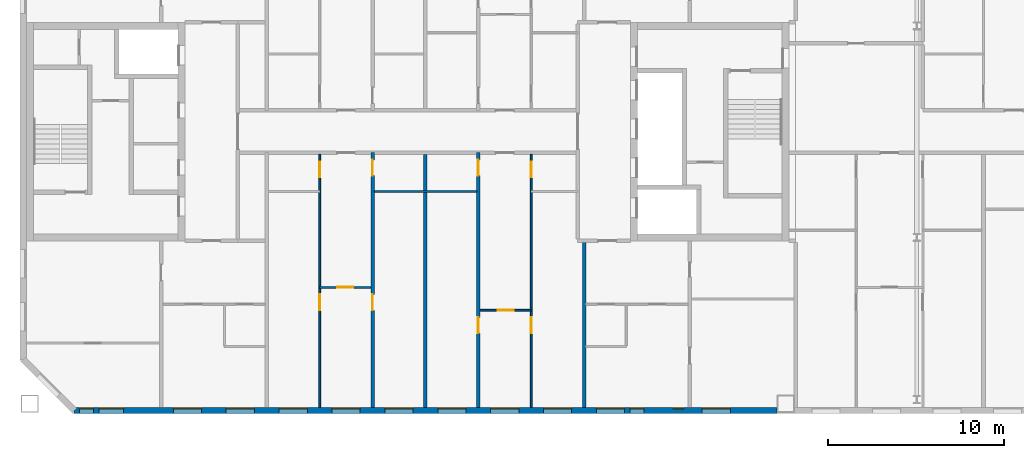
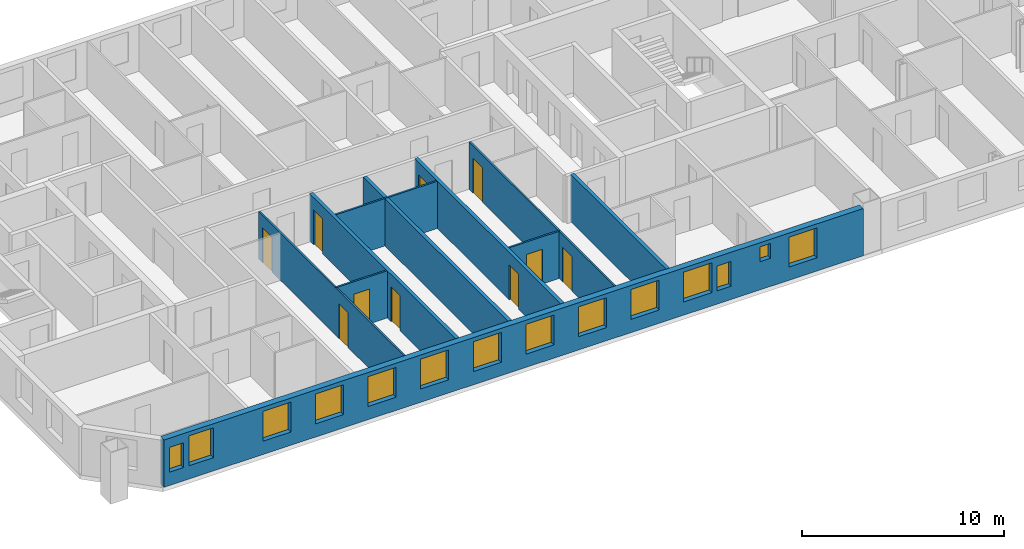
# One storey, part 5 of 19: 14 windows, 10 doors, 10 walls, 24 openings.
"""IFC4 building model written with IfcOpenShell, lengths in metres."""

from ifc_helpers import new_model, si_unit, direction, frame, frame_2d, origin, place, context, subcontext, project, spatial, rectangle, extrude, material, layer, layer_set, type_object, element, fill, save


model = new_model("IFC4")

# Units and contexts
model_context = context("Model", 3, precision=1e-05, world=origin(), true_north=direction((0.0, 1.0)))
body_context = subcontext(model_context, "Body", "Model", "MODEL_VIEW")
ifc_project = project(units=[si_unit("LENGTHUNIT", "METRE"), si_unit("AREAUNIT", "SQUARE_METRE"), si_unit("VOLUMEUNIT", "CUBIC_METRE"), si_unit("PLANEANGLEUNIT", "RADIAN"), si_unit("MASSUNIT", "GRAM", prefix="KILO")], contexts=[model_context])

# Site, building, storey
site_placement = place(None, origin())
site = spatial("IfcSite", under=ifc_project, at=site_placement, CompositionType="ELEMENT")
building_placement = place(site_placement, origin())
building = spatial("IfcBuilding", under=site, at=building_placement, Name="Tuart Gate Housing", CompositionType="ELEMENT")
storey_placement = place(building_placement, frame((0.0, 0.0, 212.10009765625)))
storey = spatial("IfcBuildingStorey", under=building, at=storey_placement, Name="L60", CompositionType="ELEMENT", Elevation=212.10009765625)

# Wall, openings, windows
ifc_material_1 = material(Name="Brick", Category="masonry")
ifc_layer_1 = layer(ifc_material_1, 0.360107421875)
ifc_layer_set_1 = layer_set([ifc_layer_1], Name="Brick pier and spandrel wall 360")
wall_type_1 = type_object("IfcWallType", Name="Brick pier and spandrel wall 360", PredefinedType="STANDARD", material=ifc_layer_set_1)
wall_1_placement = place(storey_placement, frame((35.07470703125, 54.179931640625, 0.0), z_axis=(0.0, 0.0, 1.0), x_axis=(1.0, 0.0, 0.0)))
wall_1 = element("IfcWall", 1, at=wall_1_placement, inside=storey, type_object=wall_type_1, Name="External wall BLK-S L60", PredefinedType="STANDARD", context=body_context, shape_type="SweptSolid", body=[
    extrude(rectangle(XDim=39.875244140625, YDim=0.360107421875, at=frame_2d((19.9375, 0.0))), origin(), (0.0, 0.0, 1.0), 2.849853515625),
])
opening_1_placement = place(wall_1_placement, frame((0.300048828125, 0.0, 0.800048828125)))
opening_1 = element("IfcOpeningElement", 2, at=opening_1_placement, cuts=wall_1, Name="Opening W1J", PredefinedType="OPENING", context=body_context, shape_type="SweptSolid", body=[
    extrude(rectangle(XDim=0.800048828125, YDim=1.5, at=frame_2d((0.39990234375, 0.75))), frame((0.0, 0.18994140625, 0.0), z_axis=(0.0, -1.0, 0.0), x_axis=(1.0, 0.0, 0.0)), (0.0, 0.0, 1.0), 0.380126953125),
])
opening_2_placement = place(wall_1_placement, frame((5.62548828125, 0.0, 0.800048828125)))
opening_2 = element("IfcOpeningElement", 3, at=opening_2_placement, cuts=wall_1, Name="Opening W1", PredefinedType="OPENING", context=body_context, shape_type="SweptSolid", body=[
    extrude(rectangle(XDim=1.60009765625, YDim=1.800048828125, at=frame_2d((0.800048828125, 0.89990234375))), frame((0.0, 0.18994140625, 0.0), z_axis=(0.0, -1.0, 0.0), x_axis=(1.0, 0.0, 0.0)), (0.0, 0.0, 1.0), 0.380126953125),
])
opening_3_placement = place(wall_1_placement, frame((8.62548828125, 0.0, 0.800048828125)))
opening_3 = element("IfcOpeningElement", 4, at=opening_3_placement, cuts=wall_1, Name="Opening W1", PredefinedType="OPENING", context=body_context, shape_type="SweptSolid", body=[
    extrude(rectangle(XDim=1.60009765625, YDim=1.800048828125, at=frame_2d((0.800048828125, 0.89990234375))), frame((0.0, 0.18994140625, 0.0), z_axis=(0.0, -1.0, 0.0), x_axis=(1.0, 0.0, 0.0)), (0.0, 0.0, 1.0), 0.380126953125),
])
opening_4_placement = place(wall_1_placement, frame((11.62548828125, 0.0, 0.800048828125)))
opening_4 = element("IfcOpeningElement", 5, at=opening_4_placement, cuts=wall_1, Name="Opening W1", PredefinedType="OPENING", context=body_context, shape_type="SweptSolid", body=[
    extrude(rectangle(XDim=1.60009765625, YDim=1.800048828125, at=frame_2d((0.800048828125, 0.89990234375))), frame((0.0, 0.18994140625, 0.0), z_axis=(0.0, -1.0, 0.0), x_axis=(1.0, 0.0, 0.0)), (0.0, 0.0, 1.0), 0.380126953125),
])
opening_5_placement = place(wall_1_placement, frame((14.62548828125, 0.0, 0.800048828125)))
opening_5 = element("IfcOpeningElement", 6, at=opening_5_placement, cuts=wall_1, Name="Opening W1", PredefinedType="OPENING", context=body_context, shape_type="SweptSolid", body=[
    extrude(rectangle(XDim=1.60009765625, YDim=1.800048828125, at=frame_2d((0.800048828125, 0.89990234375))), frame((0.0, 0.18994140625, 0.0), z_axis=(0.0, -1.0, 0.0), x_axis=(1.0, 0.0, 0.0)), (0.0, 0.0, 1.0), 0.380126953125),
])
opening_6_placement = place(wall_1_placement, frame((17.62548828125, 0.0, 0.800048828125)))
opening_6 = element("IfcOpeningElement", 7, at=opening_6_placement, cuts=wall_1, Name="Opening W1", PredefinedType="OPENING", context=body_context, shape_type="SweptSolid", body=[
    extrude(rectangle(XDim=1.60009765625, YDim=1.800048828125, at=frame_2d((0.800048828125, 0.89990234375))), frame((0.0, 0.18994140625, 0.0), z_axis=(0.0, -1.0, 0.0), x_axis=(1.0, 0.0, 0.0)), (0.0, 0.0, 1.0), 0.380126953125),
])
opening_7_placement = place(wall_1_placement, frame((20.62548828125, 0.0, 0.800048828125)))
opening_7 = element("IfcOpeningElement", 8, at=opening_7_placement, cuts=wall_1, Name="Opening W1", PredefinedType="OPENING", context=body_context, shape_type="SweptSolid", body=[
    extrude(rectangle(XDim=1.60009765625, YDim=1.800048828125, at=frame_2d((0.800048828125, 0.89990234375))), frame((0.0, 0.18994140625, 0.0), z_axis=(0.0, -1.0, 0.0), x_axis=(1.0, 0.0, 0.0)), (0.0, 0.0, 1.0), 0.380126953125),
])
opening_8_placement = place(wall_1_placement, frame((23.62548828125, 0.0, 0.800048828125)))
opening_8 = element("IfcOpeningElement", 9, at=opening_8_placement, cuts=wall_1, Name="Opening W1", PredefinedType="OPENING", context=body_context, shape_type="SweptSolid", body=[
    extrude(rectangle(XDim=1.60009765625, YDim=1.800048828125, at=frame_2d((0.800048828125, 0.89990234375))), frame((0.0, 0.18994140625, 0.0), z_axis=(0.0, -1.0, 0.0), x_axis=(1.0, 0.0, 0.0)), (0.0, 0.0, 1.0), 0.380126953125),
])
opening_9_placement = place(wall_1_placement, frame((26.62548828125, 0.0, 0.800048828125)))
opening_9 = element("IfcOpeningElement", 10, at=opening_9_placement, cuts=wall_1, Name="Opening W1", PredefinedType="OPENING", context=body_context, shape_type="SweptSolid", body=[
    extrude(rectangle(XDim=1.60009765625, YDim=1.800048828125, at=frame_2d((0.800048828125, 0.89990234375))), frame((0.0, 0.18994140625, 0.0), z_axis=(0.0, -1.0, 0.0), x_axis=(1.0, 0.0, 0.0)), (0.0, 0.0, 1.0), 0.380126953125),
])
opening_10_placement = place(wall_1_placement, frame((29.62548828125, 0.0, 0.800048828125)))
opening_10 = element("IfcOpeningElement", 11, at=opening_10_placement, cuts=wall_1, Name="Opening W1", PredefinedType="OPENING", context=body_context, shape_type="SweptSolid", body=[
    extrude(rectangle(XDim=1.60009765625, YDim=1.800048828125, at=frame_2d((0.800048828125, 0.89990234375))), frame((0.0, 0.18994140625, 0.0), z_axis=(0.0, -1.0, 0.0), x_axis=(1.0, 0.0, 0.0)), (0.0, 0.0, 1.0), 0.380126953125),
])
opening_11_placement = place(wall_1_placement, frame((31.525390625, 0.0, 0.800048828125)))
opening_11 = element("IfcOpeningElement", 12, at=opening_11_placement, cuts=wall_1, Name="Opening W1J", PredefinedType="OPENING", context=body_context, shape_type="SweptSolid", body=[
    extrude(rectangle(XDim=0.800048828125, YDim=1.5, at=frame_2d((0.39990234375, 0.75))), frame((0.0, 0.18994140625, 0.0), z_axis=(0.0, -1.0, 0.0), x_axis=(1.0, 0.0, 0.0)), (0.0, 0.0, 1.0), 0.380126953125),
])
opening_12_placement = place(wall_1_placement, frame((35.62548828125, 0.0, 0.800048828125)))
opening_12 = element("IfcOpeningElement", 13, at=opening_12_placement, cuts=wall_1, Name="Opening W1", PredefinedType="OPENING", context=body_context, shape_type="SweptSolid", body=[
    extrude(rectangle(XDim=1.60009765625, YDim=1.800048828125, at=frame_2d((0.800048828125, 0.89990234375))), frame((0.0, 0.18994140625, 0.0), z_axis=(0.0, -1.0, 0.0), x_axis=(1.0, 0.0, 0.0)), (0.0, 0.0, 1.0), 0.380126953125),
])
opening_13_placement = place(wall_1_placement, frame((1.39990234375, 0.0, 0.800048828125)))
opening_13 = element("IfcOpeningElement", 14, at=opening_13_placement, cuts=wall_1, Name="Opening W1A", PredefinedType="OPENING", context=body_context, shape_type="SweptSolid", body=[
    extrude(rectangle(XDim=1.39990234375, YDim=1.800048828125, at=frame_2d((0.699951171875, 0.89990234375))), frame((0.0, 0.18994140625, 0.0), z_axis=(0.0, -1.0, 0.0), x_axis=(1.0, 0.0, 0.0)), (0.0, 0.0, 1.0), 0.380126953125),
])
opening_14_placement = place(wall_1_placement, frame((33.975341796875, 0.0, 1.699951171875)))
opening_14 = element("IfcOpeningElement", 15, at=opening_14_placement, cuts=wall_1, Name="Opening W1W", PredefinedType="OPENING", context=body_context, shape_type="SweptSolid", body=[
    extrude(rectangle(XDim=0.60009765625, YDim=0.89990234375, at=frame_2d((0.300048828125, 0.449951171875))), frame((0.0, 0.18994140625, 0.0), z_axis=(0.0, -1.0, 0.0), x_axis=(1.0, 0.0, 0.0)), (0.0, 0.0, 1.0), 0.380126953125),
])
ifc_material_2 = material(Name="Aluminium frame with clear glass", Category="aluminium")
window_type_1 = type_object("IfcWindowType", Name="Punched window 1400 x 1800", PartitioningType="SINGLE_PANEL", PredefinedType="WINDOW", material=ifc_material_2)
window_1_placement = place(opening_13_placement, origin())
window_1 = element("IfcWindow", 16, at=window_1_placement, inside=storey, type_object=window_type_1, Name="Window W1A", OverallHeight=1.800048828125, OverallWidth=1.39990234375, PartitioningType="SINGLE_PANEL", PredefinedType="WINDOW", context=body_context, shape_type="SweptSolid", body=[
    extrude(rectangle(XDim=1.39990234375, YDim=1.800048828125, at=frame_2d((0.699951171875, 0.89990234375))), frame((0.0, 0.150146484375, 0.0), z_axis=(0.0, -1.0, 0.0), x_axis=(1.0, 0.0, 0.0)), (0.0, 0.0, 1.0), 0.06005859375),
])
fill(opening_13, window_1)
ifc_material_3 = material(Name="Aluminium frame with clear glass", Category="aluminium")
window_type_2 = type_object("IfcWindowType", Name="Punched window 1600 x 1800", PartitioningType="SINGLE_PANEL", PredefinedType="WINDOW", material=ifc_material_3)
window_2_placement = place(opening_2_placement, origin())
window_2 = element("IfcWindow", 17, at=window_2_placement, inside=storey, type_object=window_type_2, Name="Window W1", OverallHeight=1.800048828125, OverallWidth=1.60009765625, PartitioningType="SINGLE_PANEL", PredefinedType="WINDOW", context=body_context, shape_type="SweptSolid", body=[
    extrude(rectangle(XDim=1.60009765625, YDim=1.800048828125, at=frame_2d((0.800048828125, 0.89990234375))), frame((0.0, 0.150146484375, 0.0), z_axis=(0.0, -1.0, 0.0), x_axis=(1.0, 0.0, 0.0)), (0.0, 0.0, 1.0), 0.06005859375),
])
fill(opening_2, window_2)
window_3_placement = place(opening_3_placement, origin())
window_3 = element("IfcWindow", 18, at=window_3_placement, inside=storey, type_object=window_type_2, Name="Window W1", OverallHeight=1.800048828125, OverallWidth=1.60009765625, PartitioningType="SINGLE_PANEL", PredefinedType="WINDOW", context=body_context, shape_type="SweptSolid", body=[
    extrude(rectangle(XDim=1.60009765625, YDim=1.800048828125, at=frame_2d((0.800048828125, 0.89990234375))), frame((0.0, 0.150146484375, 0.0), z_axis=(0.0, -1.0, 0.0), x_axis=(1.0, 0.0, 0.0)), (0.0, 0.0, 1.0), 0.06005859375),
])
fill(opening_3, window_3)
window_4_placement = place(opening_4_placement, origin())
window_4 = element("IfcWindow", 19, at=window_4_placement, inside=storey, type_object=window_type_2, Name="Window W1", OverallHeight=1.800048828125, OverallWidth=1.60009765625, PartitioningType="SINGLE_PANEL", PredefinedType="WINDOW", context=body_context, shape_type="SweptSolid", body=[
    extrude(rectangle(XDim=1.60009765625, YDim=1.800048828125, at=frame_2d((0.800048828125, 0.89990234375))), frame((0.0, 0.150146484375, 0.0), z_axis=(0.0, -1.0, 0.0), x_axis=(1.0, 0.0, 0.0)), (0.0, 0.0, 1.0), 0.06005859375),
])
fill(opening_4, window_4)
window_5_placement = place(opening_5_placement, origin())
window_5 = element("IfcWindow", 20, at=window_5_placement, inside=storey, type_object=window_type_2, Name="Window W1", OverallHeight=1.800048828125, OverallWidth=1.60009765625, PartitioningType="SINGLE_PANEL", PredefinedType="WINDOW", context=body_context, shape_type="SweptSolid", body=[
    extrude(rectangle(XDim=1.60009765625, YDim=1.800048828125, at=frame_2d((0.800048828125, 0.89990234375))), frame((0.0, 0.150146484375, 0.0), z_axis=(0.0, -1.0, 0.0), x_axis=(1.0, 0.0, 0.0)), (0.0, 0.0, 1.0), 0.06005859375),
])
fill(opening_5, window_5)
window_6_placement = place(opening_6_placement, origin())
window_6 = element("IfcWindow", 21, at=window_6_placement, inside=storey, type_object=window_type_2, Name="Window W1", OverallHeight=1.800048828125, OverallWidth=1.60009765625, PartitioningType="SINGLE_PANEL", PredefinedType="WINDOW", context=body_context, shape_type="SweptSolid", body=[
    extrude(rectangle(XDim=1.60009765625, YDim=1.800048828125, at=frame_2d((0.800048828125, 0.89990234375))), frame((0.0, 0.150146484375, 0.0), z_axis=(0.0, -1.0, 0.0), x_axis=(1.0, 0.0, 0.0)), (0.0, 0.0, 1.0), 0.06005859375),
])
fill(opening_6, window_6)
window_7_placement = place(opening_7_placement, origin())
window_7 = element("IfcWindow", 22, at=window_7_placement, inside=storey, type_object=window_type_2, Name="Window W1", OverallHeight=1.800048828125, OverallWidth=1.60009765625, PartitioningType="SINGLE_PANEL", PredefinedType="WINDOW", context=body_context, shape_type="SweptSolid", body=[
    extrude(rectangle(XDim=1.60009765625, YDim=1.800048828125, at=frame_2d((0.800048828125, 0.89990234375))), frame((0.0, 0.150146484375, 0.0), z_axis=(0.0, -1.0, 0.0), x_axis=(1.0, 0.0, 0.0)), (0.0, 0.0, 1.0), 0.06005859375),
])
fill(opening_7, window_7)
window_8_placement = place(opening_8_placement, origin())
window_8 = element("IfcWindow", 23, at=window_8_placement, inside=storey, type_object=window_type_2, Name="Window W1", OverallHeight=1.800048828125, OverallWidth=1.60009765625, PartitioningType="SINGLE_PANEL", PredefinedType="WINDOW", context=body_context, shape_type="SweptSolid", body=[
    extrude(rectangle(XDim=1.60009765625, YDim=1.800048828125, at=frame_2d((0.800048828125, 0.89990234375))), frame((0.0, 0.150146484375, 0.0), z_axis=(0.0, -1.0, 0.0), x_axis=(1.0, 0.0, 0.0)), (0.0, 0.0, 1.0), 0.06005859375),
])
fill(opening_8, window_8)
window_9_placement = place(opening_9_placement, origin())
window_9 = element("IfcWindow", 24, at=window_9_placement, inside=storey, type_object=window_type_2, Name="Window W1", OverallHeight=1.800048828125, OverallWidth=1.60009765625, PartitioningType="SINGLE_PANEL", PredefinedType="WINDOW", context=body_context, shape_type="SweptSolid", body=[
    extrude(rectangle(XDim=1.60009765625, YDim=1.800048828125, at=frame_2d((0.800048828125, 0.89990234375))), frame((0.0, 0.150146484375, 0.0), z_axis=(0.0, -1.0, 0.0), x_axis=(1.0, 0.0, 0.0)), (0.0, 0.0, 1.0), 0.06005859375),
])
fill(opening_9, window_9)
window_10_placement = place(opening_10_placement, origin())
window_10 = element("IfcWindow", 25, at=window_10_placement, inside=storey, type_object=window_type_2, Name="Window W1", OverallHeight=1.800048828125, OverallWidth=1.60009765625, PartitioningType="SINGLE_PANEL", PredefinedType="WINDOW", context=body_context, shape_type="SweptSolid", body=[
    extrude(rectangle(XDim=1.60009765625, YDim=1.800048828125, at=frame_2d((0.800048828125, 0.89990234375))), frame((0.0, 0.150146484375, 0.0), z_axis=(0.0, -1.0, 0.0), x_axis=(1.0, 0.0, 0.0)), (0.0, 0.0, 1.0), 0.06005859375),
])
fill(opening_10, window_10)
window_11_placement = place(opening_12_placement, origin())
window_11 = element("IfcWindow", 26, at=window_11_placement, inside=storey, type_object=window_type_2, Name="Window W1", OverallHeight=1.800048828125, OverallWidth=1.60009765625, PartitioningType="SINGLE_PANEL", PredefinedType="WINDOW", context=body_context, shape_type="SweptSolid", body=[
    extrude(rectangle(XDim=1.60009765625, YDim=1.800048828125, at=frame_2d((0.800048828125, 0.89990234375))), frame((0.0, 0.150146484375, 0.0), z_axis=(0.0, -1.0, 0.0), x_axis=(1.0, 0.0, 0.0)), (0.0, 0.0, 1.0), 0.06005859375),
])
fill(opening_12, window_11)
ifc_material_4 = material(Name="Aluminium frame with clear glass", Category="aluminium")
window_type_3 = type_object("IfcWindowType", Name="Punched window 600 x 900", PartitioningType="SINGLE_PANEL", PredefinedType="WINDOW", material=ifc_material_4)
window_12_placement = place(opening_14_placement, origin())
window_12 = element("IfcWindow", 27, at=window_12_placement, inside=storey, type_object=window_type_3, Name="Window W1W", OverallHeight=0.89990234375, OverallWidth=0.60009765625, PartitioningType="SINGLE_PANEL", PredefinedType="WINDOW", context=body_context, shape_type="SweptSolid", body=[
    extrude(rectangle(XDim=0.60009765625, YDim=0.89990234375, at=frame_2d((0.300048828125, 0.449951171875))), frame((0.0, 0.150146484375, 0.0), z_axis=(0.0, -1.0, 0.0), x_axis=(1.0, 0.0, 0.0)), (0.0, 0.0, 1.0), 0.06005859375),
])
fill(opening_14, window_12)
ifc_material_5 = material(Name="Aluminium frame with clear glass", Category="aluminium")
window_type_4 = type_object("IfcWindowType", Name="Punched window 800 x 1500", PartitioningType="SINGLE_PANEL", PredefinedType="WINDOW", material=ifc_material_5)
window_13_placement = place(opening_1_placement, origin())
window_13 = element("IfcWindow", 28, at=window_13_placement, inside=storey, type_object=window_type_4, Name="Window W1J", OverallHeight=1.5, OverallWidth=0.800048828125, PartitioningType="SINGLE_PANEL", PredefinedType="WINDOW", context=body_context, shape_type="SweptSolid", body=[
    extrude(rectangle(XDim=0.800048828125, YDim=1.5, at=frame_2d((0.39990234375, 0.75))), frame((0.0, 0.150146484375, 0.0), z_axis=(0.0, -1.0, 0.0), x_axis=(1.0, 0.0, 0.0)), (0.0, 0.0, 1.0), 0.06005859375),
])
fill(opening_1, window_13)
window_14_placement = place(opening_11_placement, origin())
window_14 = element("IfcWindow", 29, at=window_14_placement, inside=storey, type_object=window_type_4, Name="Window W1J", OverallHeight=1.5, OverallWidth=0.800048828125, PartitioningType="SINGLE_PANEL", PredefinedType="WINDOW", context=body_context, shape_type="SweptSolid", body=[
    extrude(rectangle(XDim=0.800048828125, YDim=1.5, at=frame_2d((0.39990234375, 0.75))), frame((0.0, 0.150146484375, 0.0), z_axis=(0.0, -1.0, 0.0), x_axis=(1.0, 0.0, 0.0)), (0.0, 0.0, 1.0), 0.06005859375),
])
fill(opening_11, window_14)

# Wall, opening, door
ifc_material_6 = material(Name="Gypsum board on steel studs", Category="steel")
ifc_layer_2 = layer(ifc_material_6, 0.10009765625)
ifc_layer_set_2 = layer_set([ifc_layer_2], Name="Partition 100")
wall_type_2 = type_object("IfcWallType", Name="Partition 100", PredefinedType="PARTITIONING", material=ifc_layer_set_2)
wall_2_placement = place(storey_placement, frame((58.10009765625, 59.860107421875, 0.0), z_axis=(0.0, 0.0, 1.0), x_axis=(1.0, 0.0, 0.0)))
wall_2 = element("IfcWall", 30, at=wall_2_placement, inside=storey, type_object=wall_type_2, Name="Partition 100", PredefinedType="PARTITIONING", context=body_context, shape_type="SweptSolid", body=[
    extrude(rectangle(XDim=2.89990234375, YDim=0.10009765625, at=frame_2d((1.449951171875, 0.0))), origin(), (0.0, 0.0, 1.0), 2.849853515625),
])
opening_15_placement = place(wall_2_placement, frame((1.0, 0.0, 0.0)))
opening_15 = element("IfcOpeningElement", 31, at=opening_15_placement, cuts=wall_2, Name="Opening D2161", PredefinedType="OPENING", context=body_context, shape_type="SweptSolid", body=[
    extrude(rectangle(XDim=0.89990234375, YDim=2.10009765625, at=frame_2d((0.449951171875, 1.050048828125))), frame((0.0, 0.06005859375, 0.0), z_axis=(0.0, -1.0, 0.0), x_axis=(1.0, 0.0, 0.0)), (0.0, 0.0, 1.0), 0.1201171875),
])
ifc_material_7 = material(Name="Timber door leaf in steel frame", Category="steel")
door_type_1 = type_object("IfcDoorType", Name="Internal door 900 RH", OperationType="SINGLE_SWING_RIGHT", PredefinedType="DOOR", material=ifc_material_7)
door_1_placement = place(opening_15_placement, origin())
door_1 = element("IfcDoor", 32, at=door_1_placement, inside=storey, type_object=door_type_1, Name="Internal door", OperationType="SINGLE_SWING_RIGHT", OverallHeight=2.10009765625, OverallWidth=0.89990234375, PredefinedType="DOOR", context=body_context, shape_type="SweptSolid", body=[
    extrude(rectangle(XDim=0.89990234375, YDim=2.10009765625, at=frame_2d((0.449951171875, 1.050048828125))), frame((0.0, 0.02490234375, 0.0), z_axis=(0.0, -1.0, 0.0), x_axis=(1.0, 0.0, 0.0)), (0.0, 0.0, 1.0), 0.050048828125),
])
fill(opening_15, door_1)

wall_3_placement = place(storey_placement, frame((49.0, 61.159912109375, 0.0), z_axis=(0.0, 0.0, 1.0), x_axis=(1.0, 0.0, 0.0)))
wall_3 = element("IfcWall", 33, at=wall_3_placement, inside=storey, type_object=wall_type_2, Name="Partition 100", PredefinedType="PARTITIONING", context=body_context, shape_type="SweptSolid", body=[
    extrude(rectangle(XDim=2.89990234375, YDim=0.10009765625, at=frame_2d((1.449951171875, 0.0))), origin(), (0.0, 0.0, 1.0), 2.849853515625),
])
opening_16_placement = place(wall_3_placement, frame((1.0, 0.0, 0.0)))
opening_16 = element("IfcOpeningElement", 34, at=opening_16_placement, cuts=wall_3, Name="Opening D2156", PredefinedType="OPENING", context=body_context, shape_type="SweptSolid", body=[
    extrude(rectangle(XDim=0.89990234375, YDim=2.10009765625, at=frame_2d((0.449951171875, 1.050048828125))), frame((0.0, 0.06005859375, 0.0), z_axis=(0.0, -1.0, 0.0), x_axis=(1.0, 0.0, 0.0)), (0.0, 0.0, 1.0), 0.1201171875),
])
ifc_material_8 = material(Name="Timber door leaf in steel frame", Category="steel")
door_type_2 = type_object("IfcDoorType", Name="Internal door 900", OperationType="SINGLE_SWING_LEFT", PredefinedType="DOOR", material=ifc_material_8)
door_2_placement = place(opening_16_placement, origin())
door_2 = element("IfcDoor", 35, at=door_2_placement, inside=storey, type_object=door_type_2, Name="Internal door", OperationType="SINGLE_SWING_LEFT", OverallHeight=2.10009765625, OverallWidth=0.89990234375, PredefinedType="DOOR", context=body_context, shape_type="SweptSolid", body=[
    extrude(rectangle(XDim=0.89990234375, YDim=2.10009765625, at=frame_2d((0.449951171875, 1.050048828125))), frame((0.0, 0.02490234375, 0.0), z_axis=(0.0, -1.0, 0.0), x_axis=(1.0, 0.0, 0.0)), (0.0, 0.0, 1.0), 0.050048828125),
])
fill(opening_16, door_2)

# Wall
wall_4_placement = place(storey_placement, frame((52.10009765625, 66.60009765625, 0.0), z_axis=(0.0, 0.0, 1.0), x_axis=(1.0, 0.0, 0.0)))
element("IfcWall", 36, at=wall_4_placement, inside=storey, type_object=wall_type_2, Name="Partition 100", PredefinedType="PARTITIONING", context=body_context, shape_type="SweptSolid", body=[
    extrude(rectangle(XDim=5.7998046875, YDim=0.10009765625, at=frame_2d((2.89990234375, 0.0))), origin(), (0.0, 0.0, 1.0), 2.849853515625),
])

# Wall, openings, doors
wall_5_placement = place(storey_placement, frame((49.0, 54.360107421875, 0.0), z_axis=(0.0, 0.0, 1.0), x_axis=(0.0, 1.0, 0.0)))
wall_5 = element("IfcWall", 37, at=wall_5_placement, inside=storey, type_object=wall_type_2, Name="Partition 100", PredefinedType="PARTITIONING", context=body_context, shape_type="SweptSolid", body=[
    extrude(rectangle(XDim=14.33984375, YDim=0.10009765625, at=frame_2d((7.169921875, 0.0))), origin(), (0.0, 0.0, 1.0), 2.849853515625),
])
opening_17_placement = place(wall_5_placement, frame((5.5, 0.0, 0.0)))
opening_17 = element("IfcOpeningElement", 38, at=opening_17_placement, cuts=wall_5, Name="Opening D2153", PredefinedType="OPENING", context=body_context, shape_type="SweptSolid", body=[
    extrude(rectangle(XDim=0.89990234375, YDim=2.10009765625, at=frame_2d((0.449951171875, 1.050048828125))), frame((0.0, 0.06005859375, 0.0), z_axis=(0.0, -1.0, 0.0), x_axis=(1.0, 0.0, 0.0)), (0.0, 0.0, 1.0), 0.1201171875),
])
opening_18_placement = place(wall_5_placement, frame((13.0400390625, 0.0, 0.0)))
opening_18 = element("IfcOpeningElement", 39, at=opening_18_placement, cuts=wall_5, Name="Opening D2152", PredefinedType="OPENING", context=body_context, shape_type="SweptSolid", body=[
    extrude(rectangle(XDim=0.89990234375, YDim=2.10009765625, at=frame_2d((0.449951171875, 1.050048828125))), frame((0.0, 0.06005859375, 0.0), z_axis=(0.0, -1.0, 0.0), x_axis=(1.0, 0.0, 0.0)), (0.0, 0.0, 1.0), 0.1201171875),
])
ifc_material_9 = material(Name="Timber door leaf in steel frame", Category="steel")
door_type_3 = type_object("IfcDoorType", Name="Bathroom door 900 RH", OperationType="SINGLE_SWING_RIGHT", PredefinedType="DOOR", material=ifc_material_9)
door_3_placement = place(opening_18_placement, origin())
door_3 = element("IfcDoor", 40, at=door_3_placement, inside=storey, type_object=door_type_3, Name="Bathroom door", OperationType="SINGLE_SWING_RIGHT", OverallHeight=2.10009765625, OverallWidth=0.89990234375, PredefinedType="DOOR", context=body_context, shape_type="SweptSolid", body=[
    extrude(rectangle(XDim=0.89990234375, YDim=2.10009765625, at=frame_2d((0.449951171875, 1.050048828125))), frame((0.0, 0.02490234375, 0.0), z_axis=(0.0, -1.0, 0.0), x_axis=(1.0, 0.0, 0.0)), (0.0, 0.0, 1.0), 0.050048828125),
])
fill(opening_18, door_3)
door_4_placement = place(opening_17_placement, origin())
door_4 = element("IfcDoor", 41, at=door_4_placement, inside=storey, type_object=door_type_2, Name="Internal door", OperationType="SINGLE_SWING_LEFT", OverallHeight=2.10009765625, OverallWidth=0.89990234375, PredefinedType="DOOR", context=body_context, shape_type="SweptSolid", body=[
    extrude(rectangle(XDim=0.89990234375, YDim=2.10009765625, at=frame_2d((0.449951171875, 1.050048828125))), frame((0.0, 0.02490234375, 0.0), z_axis=(0.0, -1.0, 0.0), x_axis=(1.0, 0.0, 0.0)), (0.0, 0.0, 1.0), 0.050048828125),
])
fill(opening_17, door_4)

wall_6_placement = place(storey_placement, frame((61.0, 54.360107421875, 0.0), z_axis=(0.0, 0.0, 1.0), x_axis=(0.0, 1.0, 0.0)))
wall_6 = element("IfcWall", 42, at=wall_6_placement, inside=storey, type_object=wall_type_2, Name="Partition 100", PredefinedType="PARTITIONING", context=body_context, shape_type="SweptSolid", body=[
    extrude(rectangle(XDim=14.33984375, YDim=0.10009765625, at=frame_2d((7.169921875, 0.0))), origin(), (0.0, 0.0, 1.0), 2.849853515625),
])
opening_19_placement = place(wall_6_placement, frame((4.199951171875, 0.0, 0.0)))
opening_19 = element("IfcOpeningElement", 43, at=opening_19_placement, cuts=wall_6, Name="Opening D2155", PredefinedType="OPENING", context=body_context, shape_type="SweptSolid", body=[
    extrude(rectangle(XDim=0.89990234375, YDim=2.10009765625, at=frame_2d((0.449951171875, 1.050048828125))), frame((0.0, 0.06005859375, 0.0), z_axis=(0.0, -1.0, 0.0), x_axis=(1.0, 0.0, 0.0)), (0.0, 0.0, 1.0), 0.1201171875),
])
opening_20_placement = place(wall_6_placement, frame((13.0400390625, 0.0, 0.0)))
opening_20 = element("IfcOpeningElement", 44, at=opening_20_placement, cuts=wall_6, Name="Opening D2154", PredefinedType="OPENING", context=body_context, shape_type="SweptSolid", body=[
    extrude(rectangle(XDim=0.89990234375, YDim=2.10009765625, at=frame_2d((0.449951171875, 1.050048828125))), frame((0.0, 0.06005859375, 0.0), z_axis=(0.0, -1.0, 0.0), x_axis=(1.0, 0.0, 0.0)), (0.0, 0.0, 1.0), 0.1201171875),
])
ifc_material_10 = material(Name="Timber door leaf in steel frame", Category="steel")
door_type_4 = type_object("IfcDoorType", Name="Bathroom door 900", OperationType="SINGLE_SWING_LEFT", PredefinedType="DOOR", material=ifc_material_10)
door_5_placement = place(opening_20_placement, frame((0.89990234375, 0.0, 0.0), z_axis=(0.0, 0.0, 1.0), x_axis=(-1.0, 0.0, 0.0)))
door_5 = element("IfcDoor", 45, at=door_5_placement, inside=storey, type_object=door_type_4, Name="Bathroom door", OperationType="SINGLE_SWING_LEFT", OverallHeight=2.10009765625, OverallWidth=0.89990234375, PredefinedType="DOOR", context=body_context, shape_type="SweptSolid", body=[
    extrude(rectangle(XDim=0.89990234375, YDim=2.10009765625, at=frame_2d((0.449951171875, 1.050048828125))), frame((0.0, 0.025146484375, 0.0), z_axis=(0.0, -1.0, 0.0), x_axis=(1.0, 0.0, 0.0)), (0.0, 0.0, 1.0), 0.050048828125),
])
fill(opening_20, door_5)
door_6_placement = place(opening_19_placement, frame((0.89990234375, 0.0, 0.0), z_axis=(0.0, 0.0, 1.0), x_axis=(-1.0, 0.0, 0.0)))
door_6 = element("IfcDoor", 46, at=door_6_placement, inside=storey, type_object=door_type_1, Name="Internal door", OperationType="SINGLE_SWING_RIGHT", OverallHeight=2.10009765625, OverallWidth=0.89990234375, PredefinedType="DOOR", context=body_context, shape_type="SweptSolid", body=[
    extrude(rectangle(XDim=0.89990234375, YDim=2.10009765625, at=frame_2d((0.449951171875, 1.050048828125))), frame((0.0, 0.025146484375, 0.0), z_axis=(0.0, -1.0, 0.0), x_axis=(1.0, 0.0, 0.0)), (0.0, 0.0, 1.0), 0.050048828125),
])
fill(opening_19, door_6)

ifc_material_11 = material(Name="Concrete C40", Category="concrete")
ifc_layer_3 = layer(ifc_material_11, 0.199951171875)
ifc_layer_set_3 = layer_set([ifc_layer_3], Name="Party wall concrete C40 200")
wall_type_3 = type_object("IfcWallType", Name="Party wall concrete C40 200", PredefinedType="SOLIDWALL", material=ifc_layer_set_3)
wall_7_placement = place(storey_placement, frame((52.0, 54.360107421875, 0.0), z_axis=(0.0, 0.0, 1.0), x_axis=(0.0, 1.0, 0.0)))
wall_7 = element("IfcWall", 47, at=wall_7_placement, inside=storey, type_object=wall_type_3, Name="Party wall concrete C40 200", PredefinedType="SOLIDWALL", context=body_context, shape_type="SweptSolid", body=[
    extrude(rectangle(XDim=14.43994140625, YDim=0.199951171875, at=frame_2d((7.219970703125, 0.0))), origin(), (0.0, 0.0, 1.0), 2.849853515625),
])
opening_21_placement = place(wall_7_placement, frame((5.5, 0.0, 0.0)))
opening_21 = element("IfcOpeningElement", 48, at=opening_21_placement, cuts=wall_7, Name="Opening D2149", PredefinedType="OPENING", context=body_context, shape_type="SweptSolid", body=[
    extrude(rectangle(XDim=0.89990234375, YDim=2.10009765625, at=frame_2d((0.449951171875, 1.050048828125))), frame((0.0, 0.10986328125, 0.0), z_axis=(0.0, -1.0, 0.0), x_axis=(1.0, 0.0, 0.0)), (0.0, 0.0, 1.0), 0.219970703125),
])
opening_22_placement = place(wall_7_placement, frame((13.139892578125, 0.0, 0.0)))
opening_22 = element("IfcOpeningElement", 49, at=opening_22_placement, cuts=wall_7, Name="Opening D2148", PredefinedType="OPENING", context=body_context, shape_type="SweptSolid", body=[
    extrude(rectangle(XDim=0.89990234375, YDim=2.10009765625, at=frame_2d((0.449951171875, 1.050048828125))), frame((0.0, 0.10986328125, 0.0), z_axis=(0.0, -1.0, 0.0), x_axis=(1.0, 0.0, 0.0)), (0.0, 0.0, 1.0), 0.219970703125),
])
door_7_placement = place(opening_22_placement, frame((0.89990234375, 0.0, 0.0), z_axis=(0.0, 0.0, 1.0), x_axis=(-1.0, 0.0, 0.0)))
door_7 = element("IfcDoor", 50, at=door_7_placement, inside=storey, type_object=door_type_4, Name="Bathroom door", OperationType="SINGLE_SWING_LEFT", OverallHeight=2.10009765625, OverallWidth=0.89990234375, PredefinedType="DOOR", context=body_context, shape_type="SweptSolid", body=[
    extrude(rectangle(XDim=0.89990234375, YDim=2.10009765625, at=frame_2d((0.449951171875, 1.050048828125))), frame((0.0, 0.025146484375, 0.0), z_axis=(0.0, -1.0, 0.0), x_axis=(1.0, 0.0, 0.0)), (0.0, 0.0, 1.0), 0.050048828125),
])
fill(opening_22, door_7)
door_8_placement = place(opening_21_placement, frame((0.89990234375, 0.0, 0.0), z_axis=(0.0, 0.0, 1.0), x_axis=(-1.0, 0.0, 0.0)))
door_8 = element("IfcDoor", 51, at=door_8_placement, inside=storey, type_object=door_type_1, Name="Internal door", OperationType="SINGLE_SWING_RIGHT", OverallHeight=2.10009765625, OverallWidth=0.89990234375, PredefinedType="DOOR", context=body_context, shape_type="SweptSolid", body=[
    extrude(rectangle(XDim=0.89990234375, YDim=2.10009765625, at=frame_2d((0.449951171875, 1.050048828125))), frame((0.0, 0.025146484375, 0.0), z_axis=(0.0, -1.0, 0.0), x_axis=(1.0, 0.0, 0.0)), (0.0, 0.0, 1.0), 0.050048828125),
])
fill(opening_21, door_8)

wall_8_placement = place(storey_placement, frame((58.0, 54.360107421875, 0.0), z_axis=(0.0, 0.0, 1.0), x_axis=(0.0, 1.0, 0.0)))
wall_8 = element("IfcWall", 52, at=wall_8_placement, inside=storey, type_object=wall_type_3, Name="Party wall concrete C40 200", PredefinedType="SOLIDWALL", context=body_context, shape_type="SweptSolid", body=[
    extrude(rectangle(XDim=14.43994140625, YDim=0.199951171875, at=frame_2d((7.219970703125, 0.0))), origin(), (0.0, 0.0, 1.0), 2.849853515625),
])
opening_23_placement = place(wall_8_placement, frame((4.199951171875, 0.0, 0.0)))
opening_23 = element("IfcOpeningElement", 53, at=opening_23_placement, cuts=wall_8, Name="Opening D2151", PredefinedType="OPENING", context=body_context, shape_type="SweptSolid", body=[
    extrude(rectangle(XDim=0.89990234375, YDim=2.10009765625, at=frame_2d((0.449951171875, 1.050048828125))), frame((0.0, 0.10986328125, 0.0), z_axis=(0.0, -1.0, 0.0), x_axis=(1.0, 0.0, 0.0)), (0.0, 0.0, 1.0), 0.219970703125),
])
opening_24_placement = place(wall_8_placement, frame((13.139892578125, 0.0, 0.0)))
opening_24 = element("IfcOpeningElement", 54, at=opening_24_placement, cuts=wall_8, Name="Opening D2150", PredefinedType="OPENING", context=body_context, shape_type="SweptSolid", body=[
    extrude(rectangle(XDim=0.89990234375, YDim=2.10009765625, at=frame_2d((0.449951171875, 1.050048828125))), frame((0.0, 0.10986328125, 0.0), z_axis=(0.0, -1.0, 0.0), x_axis=(1.0, 0.0, 0.0)), (0.0, 0.0, 1.0), 0.219970703125),
])
door_9_placement = place(opening_24_placement, origin())
door_9 = element("IfcDoor", 55, at=door_9_placement, inside=storey, type_object=door_type_3, Name="Bathroom door", OperationType="SINGLE_SWING_RIGHT", OverallHeight=2.10009765625, OverallWidth=0.89990234375, PredefinedType="DOOR", context=body_context, shape_type="SweptSolid", body=[
    extrude(rectangle(XDim=0.89990234375, YDim=2.10009765625, at=frame_2d((0.449951171875, 1.050048828125))), frame((0.0, 0.02490234375, 0.0), z_axis=(0.0, -1.0, 0.0), x_axis=(1.0, 0.0, 0.0)), (0.0, 0.0, 1.0), 0.050048828125),
])
fill(opening_24, door_9)
door_10_placement = place(opening_23_placement, origin())
door_10 = element("IfcDoor", 56, at=door_10_placement, inside=storey, type_object=door_type_2, Name="Internal door", OperationType="SINGLE_SWING_LEFT", OverallHeight=2.10009765625, OverallWidth=0.89990234375, PredefinedType="DOOR", context=body_context, shape_type="SweptSolid", body=[
    extrude(rectangle(XDim=0.89990234375, YDim=2.10009765625, at=frame_2d((0.449951171875, 1.050048828125))), frame((0.0, 0.02490234375, 0.0), z_axis=(0.0, -1.0, 0.0), x_axis=(1.0, 0.0, 0.0)), (0.0, 0.0, 1.0), 0.050048828125),
])
fill(opening_23, door_10)

# Walls
wall_9_placement = place(storey_placement, frame((64.0, 54.360107421875, 0.0), z_axis=(0.0, 0.0, 1.0), x_axis=(0.0, 1.0, 0.0)))
element("IfcWall", 57, at=wall_9_placement, inside=storey, type_object=wall_type_3, Name="Party wall concrete C40 200", PredefinedType="SOLIDWALL", context=body_context, shape_type="SweptSolid", body=[
    extrude(rectangle(XDim=9.43994140625, YDim=0.199951171875, at=frame_2d((4.719970703125, 0.0))), origin(), (0.0, 0.0, 1.0), 2.849853515625),
])
ifc_material_12 = material(Name="Concrete masonry 15 MPa", Category="masonry")
ifc_layer_4 = layer(ifc_material_12, 0.199951171875)
ifc_layer_set_4 = layer_set([ifc_layer_4], Name="Party wall masonry 200")
wall_type_4 = type_object("IfcWallType", Name="Party wall masonry 200", PredefinedType="PARTITIONING", material=ifc_layer_set_4)
wall_10_placement = place(storey_placement, frame((55.0, 54.360107421875, 0.0), z_axis=(0.0, 0.0, 1.0), x_axis=(0.0, 1.0, 0.0)))
element("IfcWall", 58, at=wall_10_placement, inside=storey, type_object=wall_type_4, Name="Party wall masonry 200", PredefinedType="PARTITIONING", context=body_context, shape_type="SweptSolid", body=[
    extrude(rectangle(XDim=14.33984375, YDim=0.199951171875, at=frame_2d((7.169921875, 0.0))), origin(), (0.0, 0.0, 1.0), 2.849853515625),
])

save(model, "model.ifc")
